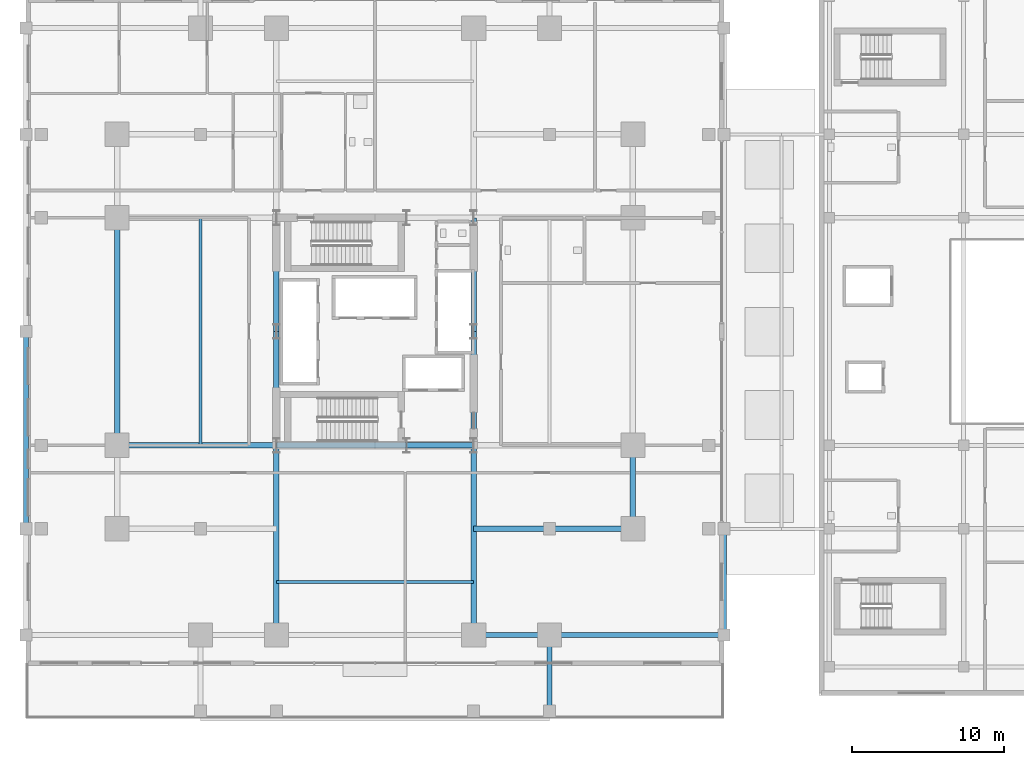
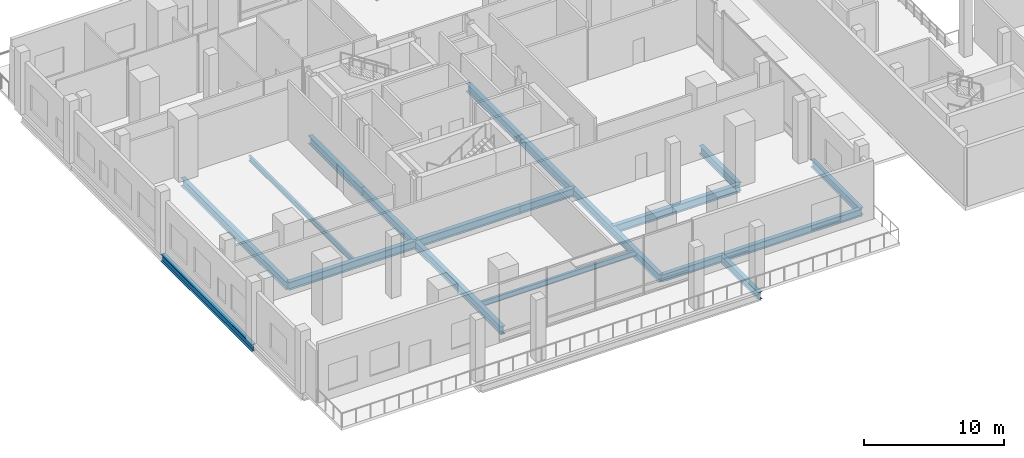
# One storey, part 8 of 36: 20 beams.
"""IFC4 building model written with IfcOpenShell, lengths in metres."""

from ifc_helpers import new_model, si_unit, direction, frame, origin, origin_2d, place, context, subcontext, project, spatial, i_section, extrude, material, material_profile, profile_set, type_object, element, save


model = new_model("IFC4")

# Units and contexts
model_context = context("Model", 3, precision=1e-05, world=origin(), true_north=direction((0.0, 1.0)))
body_context = subcontext(model_context, "Body", "Model", "MODEL_VIEW")
ifc_project = project(units=[si_unit("LENGTHUNIT", "METRE"), si_unit("AREAUNIT", "SQUARE_METRE"), si_unit("VOLUMEUNIT", "CUBIC_METRE"), si_unit("PLANEANGLEUNIT", "RADIAN"), si_unit("MASSUNIT", "GRAM", prefix="KILO")], contexts=[model_context])

# Site, building, storey
site_placement = place(None, origin())
site = spatial("IfcSite", under=ifc_project, at=site_placement, CompositionType="ELEMENT")
building_placement = place(site_placement, origin())
building = spatial("IfcBuilding", under=site, at=building_placement, Name="Barlavira Tower and Art Museum", CompositionType="ELEMENT")
storey_placement = place(building_placement, frame((0.0, 0.0, 11.39990234375)))
storey = spatial("IfcBuildingStorey", under=building, at=storey_placement, Name="L02", CompositionType="ELEMENT", Elevation=11.39990234375)

# Beams
ifc_material = material(Name="Steel S355", Category="steel")
ifc_material_profile_1 = material_profile(ifc_material, i_section(OverallWidth=0.327880859375, OverallDepth=0.62890625, WebThickness=0.013916015625, FlangeThickness=0.021484375, at=origin_2d()), Name="W610x174.0")
ifc_profile_set_1 = profile_set([ifc_material_profile_1], Name="Steel S355")
beam_type_1 = type_object("IfcBeamType", Name="Perimeter Spandrel Edge Beam W610x174 Steel S355", PredefinedType="SPANDREL", material=ifc_profile_set_1)
beam_1_placement = place(storey_placement, frame((6.5, -20.0, -0.594482421875), z_axis=(1.0, 0.0, 0.0), x_axis=(0.0, 1.0, 0.0)))
element("IfcBeam", 1, at=beam_1_placement, inside=storey, type_object=beam_type_1, Name="L02 Podium Spandrel PS4", PredefinedType="SPANDREL", context=body_context, shape_type="SweptSolid", body=[
    extrude(i_section(OverallWidth=0.327880859375, OverallDepth=0.62890625, WebThickness=0.013916015625, FlangeThickness=0.021484375, at=origin_2d()), origin(), (0.0, 0.0, 1.0), 5.0),
])
beam_2_placement = place(storey_placement, frame((11.5, -20.0, -0.594482421875), z_axis=(1.0, 0.0, 0.0), x_axis=(0.0, 1.0, 0.0)))
element("IfcBeam", 2, at=beam_2_placement, inside=storey, type_object=beam_type_1, Name="L02 Podium Spandrel PS5", PredefinedType="SPANDREL", context=body_context, shape_type="SweptSolid", body=[
    extrude(i_section(OverallWidth=0.327880859375, OverallDepth=0.62890625, WebThickness=0.013916015625, FlangeThickness=0.021484375, at=origin_2d()), origin(), (0.0, 0.0, 1.0), 11.5),
])
beam_3_placement = place(storey_placement, frame((-23.0, -13.0, -0.594482421875), z_axis=(0.0, 1.0, 0.0), x_axis=(-1.0, 0.0, 0.0)))
element("IfcBeam", 3, at=beam_3_placement, inside=storey, type_object=beam_type_1, Name="L02 Podium Spandrel PW2", PredefinedType="SPANDREL", context=body_context, shape_type="SweptSolid", body=[
    extrude(i_section(OverallWidth=0.327880859375, OverallDepth=0.62890625, WebThickness=0.013916015625, FlangeThickness=0.021484375, at=origin_2d()), origin(), (0.0, 0.0, 1.0), 13.0),
])
beam_4_placement = place(storey_placement, frame((23.0, -20.0, -0.594482421875), z_axis=(0.0, 1.0, 0.0), x_axis=(-1.0, 0.0, 0.0)))
element("IfcBeam", 4, at=beam_4_placement, inside=storey, type_object=beam_type_1, Name="L02 Podium Spandrel PE1", PredefinedType="SPANDREL", context=body_context, shape_type="SweptSolid", body=[
    extrude(i_section(OverallWidth=0.327880859375, OverallDepth=0.62890625, WebThickness=0.013916015625, FlangeThickness=0.021484375, at=origin_2d()), origin(), (0.0, 0.0, 1.0), 7.0),
])
beam_5_placement = place(storey_placement, frame((11.5, -25.5, -0.594482421875), z_axis=(0.0, 1.0, 0.0), x_axis=(-1.0, 0.0, 0.0)))
element("IfcBeam", 5, at=beam_5_placement, inside=storey, type_object=beam_type_1, Name="L02 SE Cascade Spandrel", PredefinedType="SPANDREL", context=body_context, shape_type="SweptSolid", body=[
    extrude(i_section(OverallWidth=0.327880859375, OverallDepth=0.62890625, WebThickness=0.013916015625, FlangeThickness=0.021484375, at=origin_2d()), origin(), (0.0, 0.0, 1.0), 5.5),
])
ifc_material_profile_2 = material_profile(ifc_material, i_section(OverallWidth=0.19189453125, OverallDepth=0.462890625, WebThickness=0.010498046875, FlangeThickness=0.017578125, at=origin_2d()), Name="W460x89.0")
ifc_profile_set_2 = profile_set([ifc_material_profile_2], Name="Steel S355")
beam_type_2 = type_object("IfcBeamType", Name="Podium Floor Joist W460x89 Steel S355", PredefinedType="JOIST", material=ifc_profile_set_2)
beam_6_placement = place(storey_placement, frame((-6.5, -16.5, -0.511474609375), z_axis=(1.0, 0.0, 0.0), x_axis=(0.0, 1.0, 0.0)))
element("IfcBeam", 6, at=beam_6_placement, inside=storey, type_object=beam_type_2, Name="L02 Joist C1", PredefinedType="JOIST", context=body_context, shape_type="SweptSolid", body=[
    extrude(i_section(OverallWidth=0.19189453125, OverallDepth=0.462890625, WebThickness=0.010498046875, FlangeThickness=0.017578125, at=origin_2d()), origin(), (0.0, 0.0, 1.0), 13.0),
])
beam_7_placement = place(storey_placement, frame((-11.5, -7.5, -0.511474609375), z_axis=(0.0, 1.0, 0.0), x_axis=(-1.0, 0.0, 0.0)))
element("IfcBeam", 7, at=beam_7_placement, inside=storey, type_object=beam_type_2, Name="L02 Joist W1", PredefinedType="JOIST", context=body_context, shape_type="SweptSolid", body=[
    extrude(i_section(OverallWidth=0.19189453125, OverallDepth=0.462890625, WebThickness=0.010498046875, FlangeThickness=0.017578125, at=origin_2d()), origin(), (0.0, 0.0, 1.0), 15.0),
])
ifc_material_profile_3 = material_profile(ifc_material, i_section(OverallWidth=0.35595703125, OverallDepth=0.695068359375, WebThickness=0.014892578125, FlangeThickness=0.023681640625, at=origin_2d()), Name="W690x192.0")
ifc_profile_set_3 = profile_set([ifc_material_profile_3], Name="Steel S355")
beam_type_3 = type_object("IfcBeamType", Name="Podium Primary Girder W690x192 Steel S355", PredefinedType="BEAM", material=ifc_profile_set_3)
beam_8_placement = place(storey_placement, frame((-6.5, -7.5, -0.62744140625), z_axis=(1.0, 0.0, 0.0), x_axis=(0.0, 1.0, 0.0)))
element("IfcBeam", 8, at=beam_8_placement, inside=storey, type_object=beam_type_3, Name="L02 Girder C-S1", PredefinedType="BEAM", context=body_context, shape_type="SweptSolid", body=[
    extrude(i_section(OverallWidth=0.35595703125, OverallDepth=0.695068359375, WebThickness=0.014892578125, FlangeThickness=0.023681640625, at=origin_2d()), origin(), (0.0, 0.0, 1.0), 8.580078125),
])
beam_9_placement = place(storey_placement, frame((2.080078125, -7.5, -0.62744140625), z_axis=(1.0, 0.0, 0.0), x_axis=(0.0, 1.0, 0.0)))
element("IfcBeam", 9, at=beam_9_placement, inside=storey, type_object=beam_type_3, Name="L02 Girder C-S2", PredefinedType="BEAM", context=body_context, shape_type="SweptSolid", body=[
    extrude(i_section(OverallWidth=0.35595703125, OverallDepth=0.695068359375, WebThickness=0.014892578125, FlangeThickness=0.023681640625, at=origin_2d()), origin(), (0.0, 0.0, 1.0), 4.419921875),
])
for number, where, z_axis, x_axis, name in (
    (10, (-6.5, -7.5, -0.62744140625), (0.0, 1.0, 0.0), (-1.0, 0.0, 0.0), "L02 Girder C-W1"),
    (11, (-6.5, 0.0, -0.62744140625), (0.0, 1.0, 0.0), (-1.0, 0.0, 0.0), "L02 Girder C-W2"),
    (12, (6.5, -7.5, -0.62744140625), (0.0, 1.0, 0.0), (-1.0, 0.0, 0.0), "L02 Girder C-E1"),
    (13, (6.5, 0.0, -0.62744140625), (0.0, 1.0, 0.0), (-1.0, 0.0, 0.0), "L02 Girder C-E2"),
):
    element("IfcBeam", number, at=place(storey_placement, frame(where, z_axis=z_axis, x_axis=x_axis)), inside=storey, type_object=beam_type_3, Name=name, PredefinedType="BEAM", context=body_context, shape_type="SweptSolid", body=[
        extrude(i_section(OverallWidth=0.35595703125, OverallDepth=0.695068359375, WebThickness=0.014892578125, FlangeThickness=0.023681640625, at=origin_2d()), origin(), (0.0, 0.0, 1.0), 7.5),
    ])
beam_10_placement = place(storey_placement, frame((-17.0, -7.5, -0.62744140625), z_axis=(0.0, 1.0, 0.0), x_axis=(-1.0, 0.0, 0.0)))
element("IfcBeam", 14, at=beam_10_placement, inside=storey, type_object=beam_type_3, Name="L02 Girder M-W2", PredefinedType="BEAM", context=body_context, shape_type="SweptSolid", body=[
    extrude(i_section(OverallWidth=0.35595703125, OverallDepth=0.695068359375, WebThickness=0.014892578125, FlangeThickness=0.023681640625, at=origin_2d()), origin(), (0.0, 0.0, 1.0), 15.0),
])
beam_11_placement = place(storey_placement, frame((17.0, -13.0, -0.62744140625), z_axis=(0.0, 1.0, 0.0), x_axis=(-1.0, 0.0, 0.0)))
element("IfcBeam", 15, at=beam_11_placement, inside=storey, type_object=beam_type_3, Name="L02 Girder M-E1", PredefinedType="BEAM", context=body_context, shape_type="SweptSolid", body=[
    extrude(i_section(OverallWidth=0.35595703125, OverallDepth=0.695068359375, WebThickness=0.014892578125, FlangeThickness=0.023681640625, at=origin_2d()), origin(), (0.0, 0.0, 1.0), 5.5),
])
for number, where, z_axis, x_axis, name in (
    (16, (-6.5, -20.0, -0.62744140625), (0.0, 1.0, 0.0), (-1.0, 0.0, 0.0), "L02 Girder R-S1"),
    (17, (6.5, -20.0, -0.62744140625), (0.0, 1.0, 0.0), (-1.0, 0.0, 0.0), "L02 Girder R-S2"),
):
    element("IfcBeam", number, at=place(storey_placement, frame(where, z_axis=z_axis, x_axis=x_axis)), inside=storey, type_object=beam_type_3, Name=name, PredefinedType="BEAM", context=body_context, shape_type="SweptSolid", body=[
        extrude(i_section(OverallWidth=0.35595703125, OverallDepth=0.695068359375, WebThickness=0.014892578125, FlangeThickness=0.023681640625, at=origin_2d()), origin(), (0.0, 0.0, 1.0), 12.5),
    ])
beam_12_placement = place(storey_placement, frame((-17.0, -7.5, -0.62744140625), z_axis=(1.0, 0.0, 0.0), x_axis=(0.0, 1.0, 0.0)))
element("IfcBeam", 18, at=beam_12_placement, inside=storey, type_object=beam_type_3, Name="L02 Girder R-W1", PredefinedType="BEAM", context=body_context, shape_type="SweptSolid", body=[
    extrude(i_section(OverallWidth=0.35595703125, OverallDepth=0.695068359375, WebThickness=0.014892578125, FlangeThickness=0.023681640625, at=origin_2d()), origin(), (0.0, 0.0, 1.0), 10.5),
])
beam_13_placement = place(storey_placement, frame((6.5, -13.0, -0.62744140625), z_axis=(1.0, 0.0, 0.0), x_axis=(0.0, 1.0, 0.0)))
element("IfcBeam", 19, at=beam_13_placement, inside=storey, type_object=beam_type_3, Name="L02 Girder I-S3", PredefinedType="BEAM", context=body_context, shape_type="SweptSolid", body=[
    extrude(i_section(OverallWidth=0.35595703125, OverallDepth=0.695068359375, WebThickness=0.014892578125, FlangeThickness=0.023681640625, at=origin_2d()), origin(), (0.0, 0.0, 1.0), 5.0),
])
beam_14_placement = place(storey_placement, frame((11.5, -13.0, -0.62744140625), z_axis=(1.0, 0.0, 0.0), x_axis=(0.0, 1.0, 0.0)))
element("IfcBeam", 20, at=beam_14_placement, inside=storey, type_object=beam_type_3, Name="L02 Girder I-S4", PredefinedType="BEAM", context=body_context, shape_type="SweptSolid", body=[
    extrude(i_section(OverallWidth=0.35595703125, OverallDepth=0.695068359375, WebThickness=0.014892578125, FlangeThickness=0.023681640625, at=origin_2d()), origin(), (0.0, 0.0, 1.0), 5.5),
])

save(model, "model.ifc")
